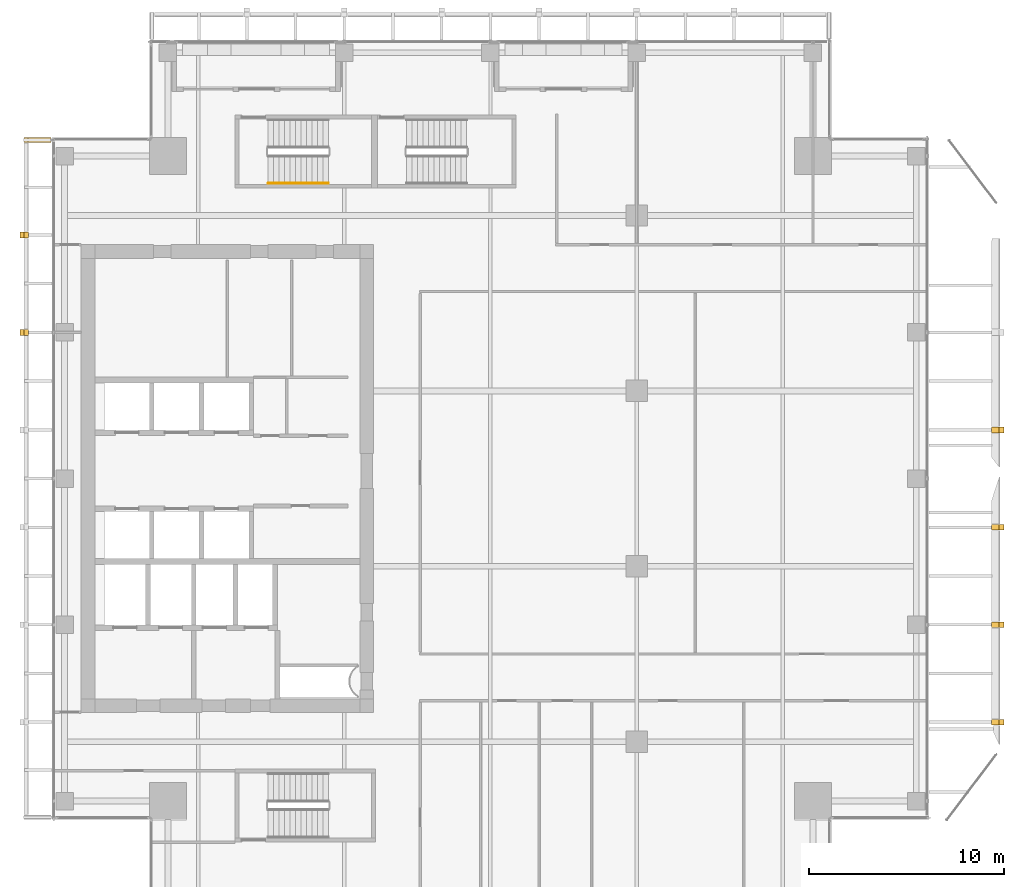
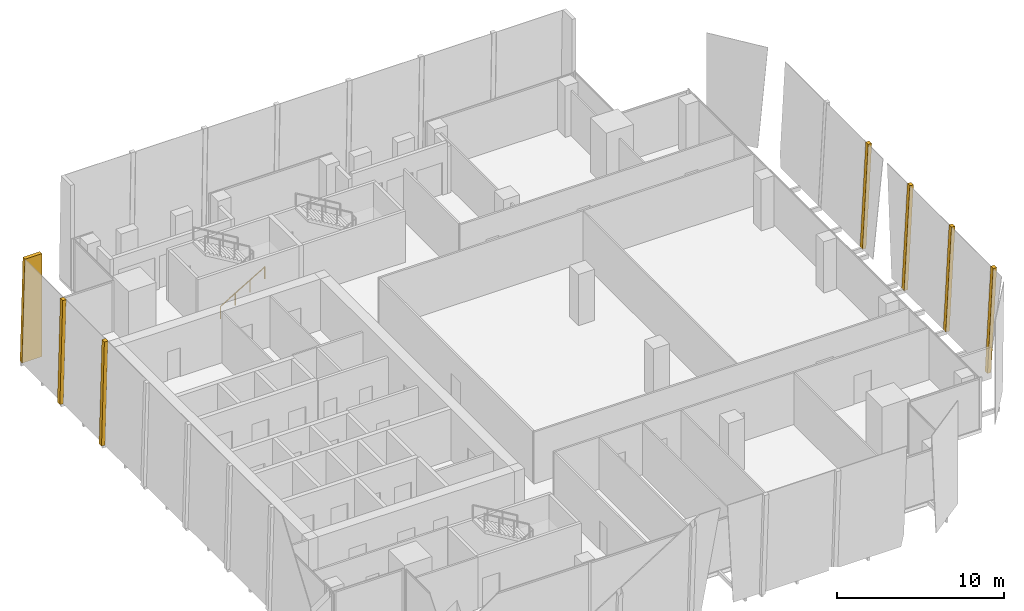
# One storey, part 33 of 35: 7 coverings, 1 railing.
"""IFC4 building model written with IfcOpenShell, lengths in metres."""

from ifc_helpers import new_model, si_unit, direction, frame, origin, origin_2d, place, context, subcontext, project, spatial, polyline, circle, outline, extrude, source, transform, mapped, material, layer, layer_set, type_object, element, save


model = new_model("IFC4")

# Units and contexts
model_context = context("Model", 3, precision=1e-05, world=origin(), true_north=direction((0.0, 1.0)))
body_context = subcontext(model_context, "Body", "Model", "MODEL_VIEW")
ifc_project = project(units=[si_unit("LENGTHUNIT", "METRE"), si_unit("AREAUNIT", "SQUARE_METRE"), si_unit("VOLUMEUNIT", "CUBIC_METRE"), si_unit("PLANEANGLEUNIT", "RADIAN"), si_unit("MASSUNIT", "GRAM", prefix="KILO")], contexts=[model_context])

# Site, building, storey
site_placement = place(None, origin())
site = spatial("IfcSite", under=ifc_project, at=site_placement, CompositionType="ELEMENT")
building_placement = place(site_placement, origin())
building = spatial("IfcBuilding", under=site, at=building_placement, Name="Khomas Fold Tower", CompositionType="ELEMENT")
storey_placement = place(building_placement, frame((0.0, 0.0, 266.199951171875)))
storey = spatial("IfcBuildingStorey", under=building, at=storey_placement, Name="L60", CompositionType="ELEMENT", Elevation=266.199951171875)

# Coverings
ifc_material_1 = material(Name="Natural stone cladding", Category="masonry")
ifc_layer = layer(ifc_material_1, 0.25)
ifc_layer_set = layer_set([ifc_layer], Name="Natural stone cladding")
covering_type = type_object("IfcCoveringType", Name="SK-Karibib marble stone mullion", PredefinedType="CLADDING", material=ifc_layer_set)
for number, where, z_axis, x_axis, name in (
    (1, (52.7060546875, 14.35009765625, 0.0), (-0.998630733741, 0.0, 0.052313073198), (0.052313073198, 0.0, 0.998630733741), "OUTER SKIN mullion L60 EM099-3"),
    (2, (52.7060546875, 19.35009765625, 0.0), (-0.998630733741, 0.0, 0.052313073198), (0.052313073198, 0.0, 0.998630733741), "OUTER SKIN mullion L60 EM100-5"),
    (3, (52.7060546875, 24.35009765625, 0.0), (-0.998630733741, 0.0, 0.052313073198), (0.052313073198, 0.0, 0.998630733741), "OUTER SKIN mullion L60 EM101-7"),
    (4, (52.7060546875, 29.35009765625, 0.0), (-0.998630733741, 0.0, 0.052313073198), (0.052313073198, 0.0, 0.998630733741), "OUTER SKIN mullion L60 EM102-10"),
):
    element("IfcCovering", number, at=place(storey_placement, frame(where, z_axis=z_axis, x_axis=x_axis)), inside=storey, type_object=covering_type, Name=name, PredefinedType="CLADDING", context=body_context, shape_type="SweptSolid", body=[
        extrude(outline(polyline([(0.0, 0.0), (7.560401030158403, 0.0), (7.560401030158403, 0.29980468750000006), (0.0, 0.29980468750000006), (0.0, 0.0)])), origin(), (0.0, 0.0, -1.0), 0.25),
    ])
for number, where, z_axis, x_axis, name in (
    (5, (2.86279296875, 34.35009765625, 0.006591796875), (-0.99965715546, 0.0, 0.026183421048), (0.0, 1.0, 0.0), "OUTER SKIN mullion L60 W10"),
    (6, (2.86279296875, 39.35009765625, 0.006591796875), (-0.99965715546, 0.0, 0.026183421048), (0.0, 1.0, 0.0), "OUTER SKIN mullion L60 W12"),
):
    element("IfcCovering", number, at=place(storey_placement, frame(where, z_axis=z_axis, x_axis=x_axis)), inside=storey, type_object=covering_type, Name=name, PredefinedType="CLADDING", context=body_context, shape_type="SweptSolid", body=[
        extrude(outline(polyline([(0.0, 0.0), (0.2998046875, 0.0), (0.2998046875, -7.552638208898188), (0.0, -7.552638208898188), (0.0, 0.0)])), origin(), (0.0, 0.0, -1.0), 0.25),
    ])
covering_placement = place(storey_placement, frame((4.449951171875, 44.5, 0.0), z_axis=(0.0, 1.0, 0.0), x_axis=(-1.0, 0.0, 0.0)))
element("IfcCovering", 7, at=covering_placement, inside=storey, type_object=covering_type, Name="OUTER SKIN return L60 W2", PredefinedType="CLADDING", context=body_context, shape_type="SweptSolid", body=[
    extrude(outline(polyline([(0.0, 0.0), (1.377197265625, 0.0), (1.179443359375, 7.550048828125), (0.0, 7.550048828125), (0.0, 0.0)])), origin(), (0.0, 0.0, -1.0), 0.25),
])

# Railing
ifc_material_2 = material(Name="Steel handrail", Category="steel")
railing_type = type_object("IfcRailingType", Name="Stair handrail", PredefinedType="HANDRAIL", material=ifc_material_2)
shared_shape = source(origin(), body_context, "Body", "SweptSolid", [
    extrude(circle(Radius=0.02392578125, at=origin_2d()), frame((0.0, 0.0, 0.8759765625), z_axis=(0.859290745958, 0.0, 0.51148745235), x_axis=(0.0, 1.0, 0.0)), (0.0, 0.0, 1.0), 3.584228515625),
    extrude(circle(Radius=0.02099609375, at=origin_2d()), origin(), (0.0, 0.0, 1.0), 0.851806640625),
    extrude(circle(Radius=0.02099609375, at=origin_2d()), frame((1.026611328125, 0.0, 0.611083984375)), (0.0, 0.0, 1.0), 0.851806640625),
    extrude(circle(Radius=0.02099609375, at=origin_2d()), frame((2.05322265625, 0.0, 1.22216796875)), (0.0, 0.0, 1.0), 0.851806640625),
    extrude(circle(Radius=0.02099609375, at=origin_2d()), frame((3.079833984375, 0.0, 1.833251953125)), (0.0, 0.0, 1.0), 0.851806640625),
])
railing_placement = place(storey_placement, frame((15.60009765625, 42.14990234375, 0.166748046875)))
element("IfcRailing", 8, at=railing_placement, inside=storey, type_object=railing_type, Name="L60 ST1 stair handrail 1", PredefinedType="HANDRAIL", context=body_context, shape_type="MappedRepresentation", body=[
    mapped(shared_shape, transform((0.0, 0.0, 0.0))),
])

save(model, "model.ifc")
